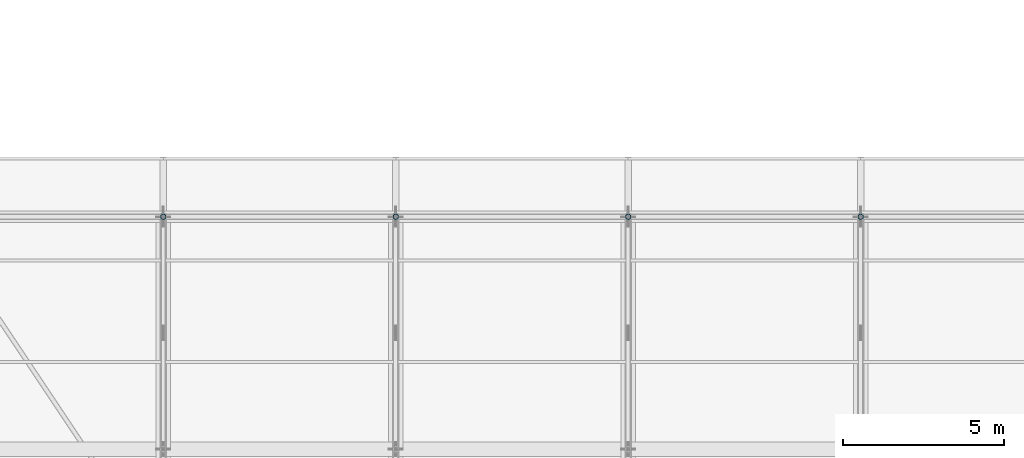
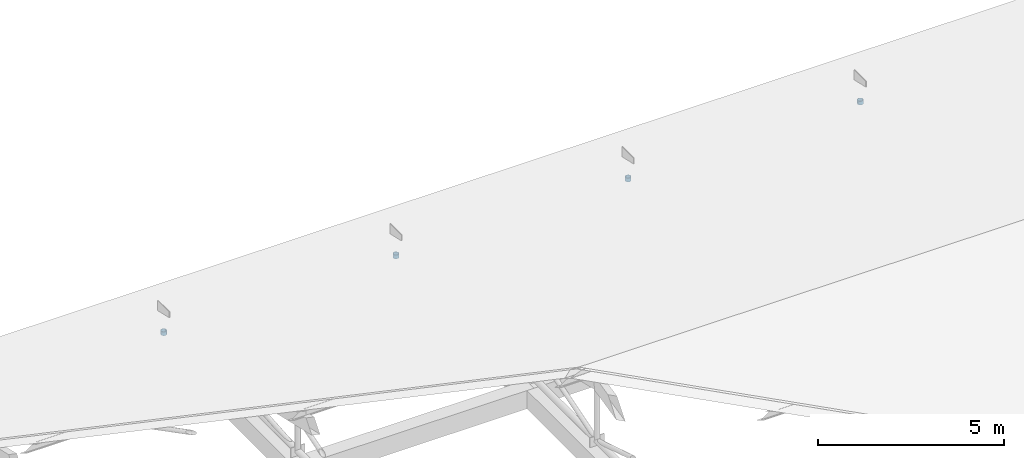
# One storey, part 62 of 93: 4 members.
"""IFC4 building model written with IfcOpenShell, lengths in metres."""

from ifc_helpers import new_model, si_unit, direction, frame, origin, origin_2d, place, context, subcontext, project, spatial, hollow_circle, extrude, material, material_profile, profile_set, type_object, element, save


model = new_model("IFC4")

# Units and contexts
model_context = context("Model", 3, precision=1e-05, world=origin(), true_north=direction((0.0, 1.0)))
body_context = subcontext(model_context, "Body", "Model", "MODEL_VIEW")
ifc_project = project(units=[si_unit("LENGTHUNIT", "METRE"), si_unit("AREAUNIT", "SQUARE_METRE"), si_unit("VOLUMEUNIT", "CUBIC_METRE"), si_unit("PLANEANGLEUNIT", "RADIAN"), si_unit("MASSUNIT", "GRAM", prefix="KILO")], contexts=[model_context])

# Site, building, storey
site_placement = place(None, origin())
site = spatial("IfcSite", under=ifc_project, at=site_placement, CompositionType="ELEMENT")
building_placement = place(site_placement, origin())
building = spatial("IfcBuilding", under=site, at=building_placement, Name="Zornivar Specialist Clinic", CompositionType="ELEMENT")
storey_placement = place(building_placement, frame((0.0, 0.0, 8.39990234375)))
storey = spatial("IfcBuildingStorey", under=building, at=storey_placement, Name="L02", CompositionType="ELEMENT", Elevation=8.39990234375)

# Members
ifc_material = material(Name="Steel S355J2", Category="steel")
ifc_material_profile = material_profile(ifc_material, hollow_circle(Radius=0.084228515625, WallThickness=0.010009765625, at=origin_2d()), Name="CHS 168.3x10")
ifc_profile_set = profile_set([ifc_material_profile], Name="Steel S355J2")
member_type = type_object("IfcMemberType", Name="MEM-STRUT-CHS168", PredefinedType="STRUT", material=ifc_profile_set)
for number, where, z_axis, x_axis, name in (
    (1, (129.60009765625, 21.60009765625, -0.079833984375), (0.0, 0.0, -1.0), (1.0, 0.0, 0.0), "mem:V4:L02:post:1:N"),
    (2, (136.800048828125, 21.60009765625, -0.079833984375), (0.0, 0.0, -1.0), (1.0, 0.0, 0.0), "mem:V4:L02:post:2:N"),
    (3, (144.0, 21.60009765625, -0.079833984375), (0.0, 0.0, -1.0), (1.0, 0.0, 0.0), "mem:V4:L02:post:3:N"),
    (4, (151.199951171875, 21.60009765625, -0.079833984375), (0.0, 0.0, -1.0), (1.0, 0.0, 0.0), "mem:V4:L02:post:4:N"),
):
    element("IfcMember", number, at=place(storey_placement, frame(where, z_axis=z_axis, x_axis=x_axis)), inside=storey, type_object=member_type, Name=name, PredefinedType="STRUT", context=body_context, shape_type="SweptSolid", body=[
        extrude(hollow_circle(Radius=0.084228515625, WallThickness=0.010009765625, at=origin_2d()), origin(), (0.0, 0.0, 1.0), 0.123046875),
    ])

save(model, "model.ifc")
